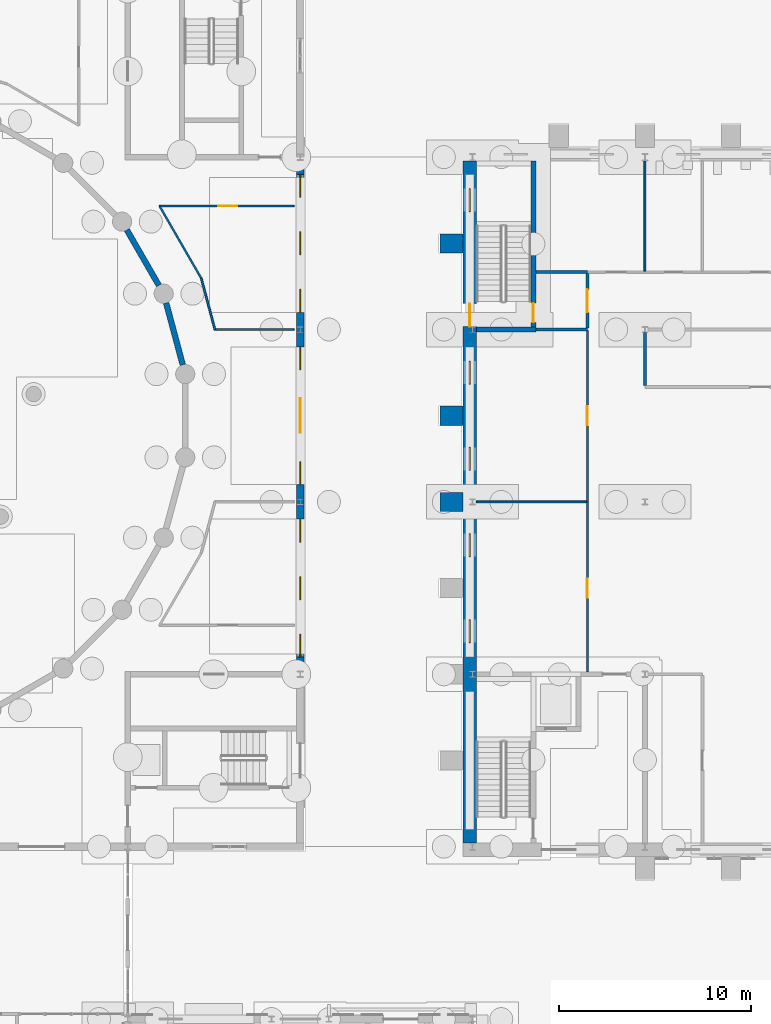
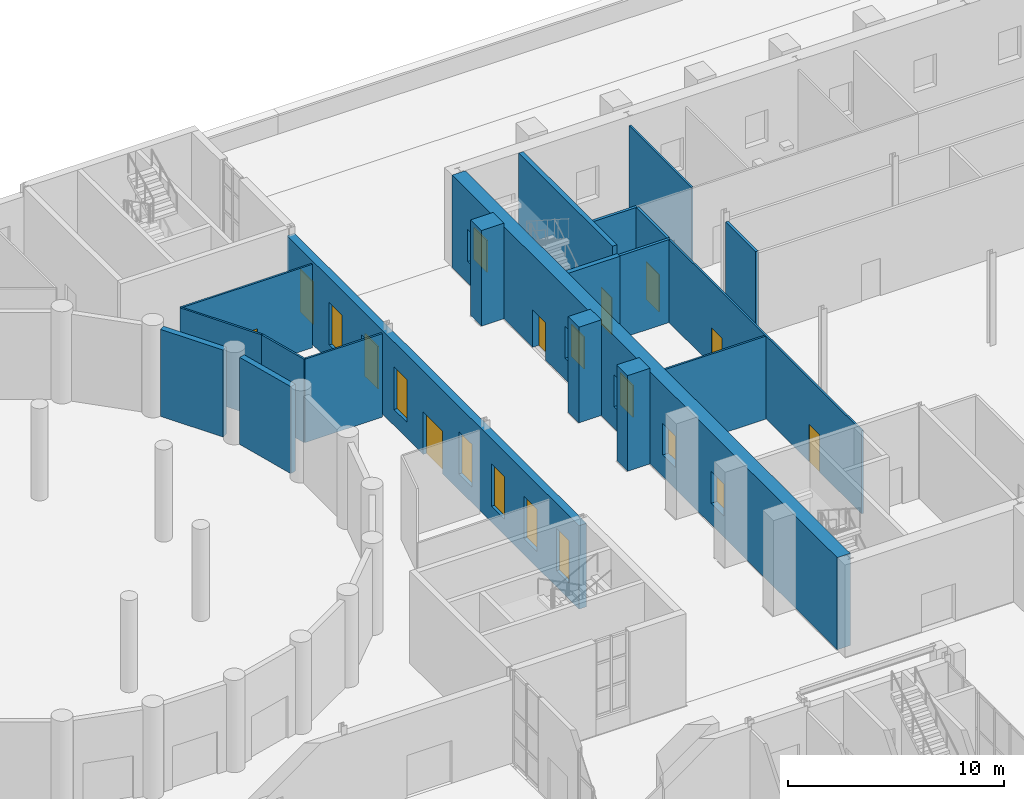
# One storey, part 100 of 168: 20 walls, 13 windows, 7 doors, 20 openings.
"""IFC4 building model written with IfcOpenShell, lengths in metres."""

from ifc_helpers import new_model, si_unit, direction, frame, frame_2d, origin, place, context, subcontext, project, spatial, rectangle, extrude, material, layer, layer_set, type_object, element, fill, save


model = new_model("IFC4")

# Units and contexts
model_context = context("Model", 3, precision=1e-05, world=origin(), true_north=direction((0.0, 1.0)))
body_context = subcontext(model_context, "Body", "Model", "MODEL_VIEW")
ifc_project = project(units=[si_unit("LENGTHUNIT", "METRE"), si_unit("AREAUNIT", "SQUARE_METRE"), si_unit("VOLUMEUNIT", "CUBIC_METRE"), si_unit("PLANEANGLEUNIT", "RADIAN"), si_unit("MASSUNIT", "GRAM", prefix="KILO")], contexts=[model_context])

# Site, building, storey
site_placement = place(None, origin())
site = spatial("IfcSite", under=ifc_project, at=site_placement, CompositionType="ELEMENT")
building_placement = place(site_placement, origin())
building = spatial("IfcBuilding", under=site, at=building_placement, Name="Golden Quay Civic Hall", CompositionType="ELEMENT")
storey_placement = place(building_placement, origin())
storey = spatial("IfcBuildingStorey", under=building, at=storey_placement, Name="L00", CompositionType="ELEMENT", Elevation=0.0)

# Wall, opening, door
ifc_material_1 = material(Name="Concrete C40/50", Category="concrete")
ifc_layer_1 = layer(ifc_material_1, 0.25)
ifc_layer_set_1 = layer_set([ifc_layer_1], Name="Concrete core wall 250, Concrete C40/50")
wall_type_1 = type_object("IfcWallType", Name="Concrete core wall 250", PredefinedType="SHEAR", material=ifc_layer_set_1)
wall_1_placement = place(storey_placement, frame((120.175048828125, 90.125, 0.0), z_axis=(0.0, 0.0, 1.0), x_axis=(0.0, 1.0, 0.0)))
wall_1 = element("IfcWall", 1, at=wall_1_placement, inside=storey, type_object=wall_type_1, Name="L00 core wall N stair east", PredefinedType="SHEAR", context=body_context, shape_type="SweptSolid", body=[
    extrude(rectangle(XDim=8.675048828125, YDim=0.25, at=frame_2d((4.33740234375, 0.0))), origin(), (0.0, 0.0, 1.0), 5.199951171875),
])
opening_1_placement = place(wall_1_placement, frame((0.25, 0.0, 0.0)))
opening_1 = element("IfcOpeningElement", 2, at=opening_1_placement, cuts=wall_1, Name="Opening L00-D227", PredefinedType="OPENING", context=body_context, shape_type="SweptSolid", body=[
    extrude(rectangle(XDim=1.0, YDim=2.10009765625, at=frame_2d((0.5, 1.050048828125))), frame((0.0, 0.135009765625, 0.0), z_axis=(0.0, -1.0, 0.0), x_axis=(1.0, 0.0, 0.0)), (0.0, 0.0, 1.0), 0.27001953125),
])
ifc_material_2 = material(Name="Steel", Category="steel")
door_type_1 = type_object("IfcDoorType", Name="Steel fire door FD60 1000 x 2100", OperationType="SINGLE_SWING_LEFT", PredefinedType="DOOR", material=ifc_material_2)
door_1_placement = place(opening_1_placement, frame((1.0, 0.0, 0.0), z_axis=(0.0, 0.0, 1.0), x_axis=(-1.0, 0.0, 0.0)))
door_1 = element("IfcDoor", 3, at=door_1_placement, inside=storey, type_object=door_type_1, Name="Stair door LB-N", OperationType="SINGLE_SWING_RIGHT", OverallHeight=2.10009765625, OverallWidth=1.0, PredefinedType="DOOR", context=body_context, shape_type="SweptSolid", body=[
    extrude(rectangle(XDim=1.0, YDim=2.10009765625, at=frame_2d((0.5, 1.050048828125))), frame((0.0, 0.025146484375, 0.0), z_axis=(0.0, -1.0, 0.0), x_axis=(1.0, 0.0, 0.0)), (0.0, 0.0, 1.0), 0.050048828125),
])
fill(opening_1, door_1)

# Walls
wall_2_placement = place(storey_placement, frame((117.199951171875, 90.0, 0.0), z_axis=(0.0, 0.0, 1.0), x_axis=(1.0, 0.0, 0.0)))
element("IfcWall", 4, at=wall_2_placement, inside=storey, type_object=wall_type_1, Name="L00 core wall N stair south", PredefinedType="SHEAR", context=body_context, shape_type="SweptSolid", body=[
    extrude(rectangle(XDim=3.10009765625, YDim=0.25, at=frame_2d((1.550048828125, 0.0))), origin(), (0.0, 0.0, 1.0), 4.699951171875),
])
ifc_material_3 = material(Name="Plasterboard on steel studs", Category="steel")
ifc_layer_2 = layer(ifc_material_3, 0.10009765625)
ifc_layer_set_2 = layer_set([ifc_layer_2], Name="Partition 100 stud")
wall_type_2 = type_object("IfcWallType", Name="Partition 100 stud", PredefinedType="PARTITIONING", material=ifc_layer_set_2)
wall_3_placement = place(storey_placement, frame((117.199951171875, 81.0, 0.0), z_axis=(0.0, 0.0, 1.0), x_axis=(1.0, 0.0, 0.0)))
element("IfcWall", 5, at=wall_3_placement, inside=storey, type_object=wall_type_2, Name="L00 partition H18-0.20", PredefinedType="PARTITIONING", context=body_context, shape_type="SweptSolid", body=[
    extrude(rectangle(XDim=5.75, YDim=0.10009765625, at=frame_2d((2.875, 0.0))), origin(), (0.0, 0.0, 1.0), 4.679931640625),
])

# Wall, openings, doors
wall_4_placement = place(storey_placement, frame((123.0, 72.125, 0.0), z_axis=(0.0, 0.0, 1.0), x_axis=(0.0, 1.0, 0.0)))
wall_4 = element("IfcWall", 6, at=wall_4_placement, inside=storey, type_object=wall_type_2, Name="L00 partition V6-9.12", PredefinedType="PARTITIONING", context=body_context, shape_type="SweptSolid", body=[
    extrude(rectangle(XDim=17.800048828125, YDim=0.10009765625, at=frame_2d((8.89990234375, 0.0))), origin(), (0.0, 0.0, 1.0), 4.679931640625),
])
opening_2_placement = place(wall_4_placement, frame((3.875, 0.0, 0.0)))
opening_2 = element("IfcOpeningElement", 7, at=opening_2_placement, cuts=wall_4, Name="Opening L00-D209", PredefinedType="OPENING", context=body_context, shape_type="SweptSolid", body=[
    extrude(rectangle(XDim=1.0, YDim=2.10009765625, at=frame_2d((0.5, 1.050048828125))), frame((0.0, 0.06005859375, 0.0), z_axis=(0.0, -1.0, 0.0), x_axis=(1.0, 0.0, 0.0)), (0.0, 0.0, 1.0), 0.1201171875),
])
opening_3_placement = place(wall_4_placement, frame((12.875, 0.0, 0.0)))
opening_3 = element("IfcOpeningElement", 8, at=opening_3_placement, cuts=wall_4, Name="Opening L00-D210", PredefinedType="OPENING", context=body_context, shape_type="SweptSolid", body=[
    extrude(rectangle(XDim=1.0, YDim=2.10009765625, at=frame_2d((0.5, 1.050048828125))), frame((0.0, 0.06005859375, 0.0), z_axis=(0.0, -1.0, 0.0), x_axis=(1.0, 0.0, 0.0)), (0.0, 0.0, 1.0), 0.1201171875),
])
ifc_material_4 = material(Name="Timber", Category="wood")
door_type_2 = type_object("IfcDoorType", Name="Timber door 1000 x 2100", OperationType="SINGLE_SWING_LEFT", PredefinedType="DOOR", material=ifc_material_4)
door_2_placement = place(opening_2_placement, origin())
door_2 = element("IfcDoor", 9, at=door_2_placement, inside=storey, type_object=door_type_2, Name="Library Office door", OperationType="SINGLE_SWING_LEFT", OverallHeight=2.10009765625, OverallWidth=1.0, PredefinedType="DOOR", context=body_context, shape_type="SweptSolid", body=[
    extrude(rectangle(XDim=1.0, YDim=2.10009765625, at=frame_2d((0.5, 1.050048828125))), frame((0.0, 0.02490234375, 0.0), z_axis=(0.0, -1.0, 0.0), x_axis=(1.0, 0.0, 0.0)), (0.0, 0.0, 1.0), 0.050048828125),
])
fill(opening_2, door_2)
door_3_placement = place(opening_3_placement, origin())
door_3 = element("IfcDoor", 10, at=door_3_placement, inside=storey, type_object=door_type_2, Name="Cataloguing Office door", OperationType="SINGLE_SWING_LEFT", OverallHeight=2.10009765625, OverallWidth=1.0, PredefinedType="DOOR", context=body_context, shape_type="SweptSolid", body=[
    extrude(rectangle(XDim=1.0, YDim=2.10009765625, at=frame_2d((0.5, 1.050048828125))), frame((0.0, 0.02490234375, 0.0), z_axis=(0.0, -1.0, 0.0), x_axis=(1.0, 0.0, 0.0)), (0.0, 0.0, 1.0), 0.050048828125),
])
fill(opening_3, door_3)

# Walls
wall_5_placement = place(storey_placement, frame((126.0, 93.050048828125, 0.0), z_axis=(0.0, 0.0, 1.0), x_axis=(0.0, 1.0, 0.0)))
element("IfcWall", 11, at=wall_5_placement, inside=storey, type_object=wall_type_2, Name="L00 partition V9-30.05", PredefinedType="PARTITIONING", context=body_context, shape_type="SweptSolid", body=[
    extrude(rectangle(XDim=5.75, YDim=0.10009765625, at=frame_2d((2.875, 0.0))), origin(), (0.0, 0.0, 1.0), 4.679931640625),
])
ifc_material_5 = material(Name="Gypsum board on steel stud", Category="steel")
ifc_layer_3 = layer(ifc_material_5, 0.10009765625)
ifc_layer_set_3 = layer_set([ifc_layer_3], Name="Partition 100 stud fire EI 60")
wall_type_3 = type_object("IfcWallType", Name="Partition 100 stud fire EI 60", PredefinedType="PARTITIONING", material=ifc_layer_set_3)
wall_6_placement = place(storey_placement, frame((107.679931640625, 90.0, 0.0), z_axis=(0.0, 0.0, 1.0), x_axis=(-1.0, 0.0, 0.0)))
element("IfcWall", 12, at=wall_6_placement, inside=storey, type_object=wall_type_3, Name="Partition 24", PredefinedType="PARTITIONING", context=body_context, shape_type="SweptSolid", body=[
    extrude(rectangle(XDim=4.129638671875, YDim=0.10009765625, at=frame_2d((2.06494140625, 0.0))), origin(), (0.0, 0.0, 1.0), 4.7099609375),
])

# Wall, opening, door
wall_7_placement = place(storey_placement, frame((107.679931640625, 96.449951171875, 0.0), z_axis=(0.0, 0.0, 1.0), x_axis=(-1.0, 0.0, 0.0)))
wall_7 = element("IfcWall", 13, at=wall_7_placement, inside=storey, type_object=wall_type_3, Name="Partition 25", PredefinedType="PARTITIONING", context=body_context, shape_type="SweptSolid", body=[
    extrude(rectangle(XDim=7.0244140625, YDim=0.10009765625, at=frame_2d((3.51220703125, 0.0))), origin(), (0.0, 0.0, 1.0), 4.7099609375),
])
opening_4_placement = place(wall_7_placement, frame((2.952392578125, 0.0, 0.0)))
opening_4 = element("IfcOpeningElement", 14, at=opening_4_placement, cuts=wall_7, Name="Opening L00-D200", PredefinedType="OPENING", context=body_context, shape_type="SweptSolid", body=[
    extrude(rectangle(XDim=1.0, YDim=2.10009765625, at=frame_2d((0.5, 1.050048828125))), frame((0.0, 0.06005859375, 0.0), z_axis=(0.0, -1.0, 0.0), x_axis=(1.0, 0.0, 0.0)), (0.0, 0.0, 1.0), 0.1201171875),
])
ifc_material_6 = material(Name="Timber", Category="wood")
door_type_3 = type_object("IfcDoorType", Name="Timber fire door FD30S 1000 x 2100", OperationType="SINGLE_SWING_LEFT", PredefinedType="DOOR", material=ifc_material_6)
door_4_placement = place(opening_4_placement, origin())
door_4 = element("IfcDoor", 15, at=door_4_placement, inside=storey, type_object=door_type_3, Name="Door Communications Room", OperationType="SINGLE_SWING_LEFT", OverallHeight=2.10009765625, OverallWidth=1.0, PredefinedType="DOOR", context=body_context, shape_type="SweptSolid", body=[
    extrude(rectangle(XDim=1.0, YDim=2.10009765625, at=frame_2d((0.5, 1.050048828125))), frame((0.0, 0.02490234375, 0.0), z_axis=(0.0, -1.0, 0.0), x_axis=(1.0, 0.0, 0.0)), (0.0, 0.0, 1.0), 0.050048828125),
])
fill(opening_4, door_4)

# Walls
wall_8_placement = place(storey_placement, frame((100.655517578125, 96.449951171875, 0.0), z_axis=(0.0, 0.0, 1.0), x_axis=(0.499992644437, -0.866029650479, 0.0)))
element("IfcWall", 16, at=wall_8_placement, inside=storey, type_object=wall_type_3, Name="Partition 26", PredefinedType="PARTITIONING", context=body_context, shape_type="SweptSolid", body=[
    extrude(rectangle(XDim=4.35400390625, YDim=0.10009765625, at=frame_2d((2.177001953125, 0.0))), origin(), (0.0, 0.0, 1.0), 4.7099609375),
])
wall_9_placement = place(storey_placement, frame((102.83251953125, 92.67919921875, 0.0), z_axis=(0.0, 0.0, 1.0), x_axis=(0.258782667083, -0.965935573016, 0.0)))
element("IfcWall", 17, at=wall_9_placement, inside=storey, type_object=wall_type_3, Name="Partition 27", PredefinedType="PARTITIONING", context=body_context, shape_type="SweptSolid", body=[
    extrude(rectangle(XDim=2.79443359375, YDim=0.10009765625, at=frame_2d((1.397216796875, 0.0))), origin(), (0.0, 0.0, 1.0), 4.7099609375),
])
ifc_material_7 = material(Name="Plasterboard on steel studs", Category="steel")
ifc_layer_4 = layer(ifc_material_7, 0.14990234375)
ifc_layer_set_4 = layer_set([ifc_layer_4], Name="Partition 150 stud fire EI 60")
wall_type_4 = type_object("IfcWallType", Name="Partition 150 stud fire EI 60", PredefinedType="PARTITIONING", material=ifc_layer_set_4)
for number, where, z_axis, x_axis, name in (
    (18, (120.300048828125, 90.0, 0.0), (0.0, 0.0, 1.0), (1.0, 0.0, 0.0), "L00 partition H27-3.30"),
    (19, (120.300048828125, 93.0, 0.0), (0.0, 0.0, 1.0), (1.0, 0.0, 0.0), "L00 partition H30-3.30"),
):
    element("IfcWall", number, at=place(storey_placement, frame(where, z_axis=z_axis, x_axis=x_axis)), inside=storey, type_object=wall_type_4, Name=name, PredefinedType="PARTITIONING", context=body_context, shape_type="SweptSolid", body=[
        extrude(rectangle(XDim=2.699951171875, YDim=0.14990234375, at=frame_2d((1.35009765625, 0.0))), origin(), (0.0, 0.0, 1.0), 4.679931640625),
    ])

# Wall, opening, door
wall_10_placement = place(storey_placement, frame((123.0, 90.074951171875, 0.0), z_axis=(0.0, 0.0, 1.0), x_axis=(0.0, 1.0, 0.0)))
wall_10 = element("IfcWall", 20, at=wall_10_placement, inside=storey, type_object=wall_type_4, Name="L00 partition V6-27.07", PredefinedType="PARTITIONING", context=body_context, shape_type="SweptSolid", body=[
    extrude(rectangle(XDim=2.85009765625, YDim=0.14990234375, at=frame_2d((1.425048828125, 0.0))), origin(), (0.0, 0.0, 1.0), 4.679931640625),
])
opening_5_placement = place(wall_10_placement, frame((0.824951171875, 0.0, 0.0)))
opening_5 = element("IfcOpeningElement", 21, at=opening_5_placement, cuts=wall_10, Name="Opening L00-D213", PredefinedType="OPENING", context=body_context, shape_type="SweptSolid", body=[
    extrude(rectangle(XDim=1.199951171875, YDim=2.10009765625, at=frame_2d((0.60009765625, 1.050048828125))), frame((0.0, 0.0849609375, 0.0), z_axis=(0.0, -1.0, 0.0), x_axis=(1.0, 0.0, 0.0)), (0.0, 0.0, 1.0), 0.169921875),
])
ifc_material_8 = material(Name="Timber", Category="wood")
door_type_4 = type_object("IfcDoorType", Name="Timber fire door FD60 1200 x 2100", OperationType="SINGLE_SWING_LEFT", PredefinedType="DOOR", material=ifc_material_8)
door_5_placement = place(opening_5_placement, frame((1.199951171875, 0.0, 0.0), z_axis=(0.0, 0.0, 1.0), x_axis=(-1.0, 0.0, 0.0)))
door_5 = element("IfcDoor", 22, at=door_5_placement, inside=storey, type_object=door_type_4, Name="Stair Lobby door", OperationType="SINGLE_SWING_RIGHT", OverallHeight=2.10009765625, OverallWidth=1.199951171875, PredefinedType="DOOR", context=body_context, shape_type="SweptSolid", body=[
    extrude(rectangle(XDim=1.199951171875, YDim=2.10009765625, at=frame_2d((0.599853515625, 1.050048828125))), frame((0.0, 0.025146484375, 0.0), z_axis=(0.0, -1.0, 0.0), x_axis=(1.0, 0.0, 0.0)), (0.0, 0.0, 1.0), 0.050048828125),
])
fill(opening_5, door_5)

# Wall
wall_11_placement = place(storey_placement, frame((126.0, 87.074951171875, 0.0), z_axis=(0.0, 0.0, 1.0), x_axis=(0.0, 1.0, 0.0)))
element("IfcWall", 23, at=wall_11_placement, inside=storey, type_object=wall_type_4, Name="L00 partition V9-24.07", PredefinedType="PARTITIONING", context=body_context, shape_type="SweptSolid", body=[
    extrude(rectangle(XDim=2.775146484375, YDim=0.14990234375, at=frame_2d((1.3876953125, 0.0))), origin(), (0.0, 0.0, 1.0), 4.679931640625),
])

# Wall, openings, door, windows
ifc_material_9 = material(Name="Brick masonry with render", Category="masonry")
ifc_layer_5 = layer(ifc_material_9, 0.39990234375)
ifc_layer_set_5 = layer_set([ifc_layer_5], Name="Rendered brick external wall 400")
wall_type_5 = type_object("IfcWallType", Name="Rendered brick external wall 400", PredefinedType="STANDARD", material=ifc_layer_set_5)
wall_12_placement = place(storey_placement, frame((108.0, 72.0, 0.0), z_axis=(0.0, 0.0, 1.0), x_axis=(0.0, 1.0, 0.0)))
wall_12 = element("IfcWall", 24, at=wall_12_placement, inside=storey, type_object=wall_type_5, Name="Base wall E 72", PredefinedType="STANDARD", context=body_context, shape_type="SweptSolid", body=[
    extrude(rectangle(XDim=27.0, YDim=0.39990234375, at=frame_2d((13.5, 0.0))), origin(), (0.0, 0.0, 1.0), 4.7099609375),
])
opening_6_placement = place(wall_12_placement, frame((12.60009765625, 0.0, 0.0)))
opening_6 = element("IfcOpeningElement", 25, at=opening_6_placement, cuts=wall_12, Name="Opening L00-D039", PredefinedType="OPENING", context=body_context, shape_type="SweptSolid", body=[
    extrude(rectangle(XDim=1.800048828125, YDim=2.39990234375, at=frame_2d((0.89990234375, 1.199951171875))), frame((0.0, 0.2099609375, 0.0), z_axis=(0.0, -1.0, 0.0), x_axis=(1.0, 0.0, 0.0)), (0.0, 0.0, 1.0), 0.419921875),
])
opening_7_placement = place(wall_12_placement, frame((0.89990234375, 0.0, 0.89990234375)))
opening_7 = element("IfcOpeningElement", 26, at=opening_7_placement, cuts=wall_12, Name="Opening WN7", PredefinedType="OPENING", context=body_context, shape_type="SweptSolid", body=[
    extrude(rectangle(XDim=1.199951171875, YDim=2.39990234375, at=frame_2d((0.60009765625, 1.199951171875))), frame((0.0, 0.2099609375, 0.0), z_axis=(0.0, -1.0, 0.0), x_axis=(1.0, 0.0, 0.0)), (0.0, 0.0, 1.0), 0.419921875),
])
opening_8_placement = place(wall_12_placement, frame((3.89990234375, 0.0, 0.89990234375)))
opening_8 = element("IfcOpeningElement", 27, at=opening_8_placement, cuts=wall_12, Name="Opening WN7", PredefinedType="OPENING", context=body_context, shape_type="SweptSolid", body=[
    extrude(rectangle(XDim=1.199951171875, YDim=2.39990234375, at=frame_2d((0.60009765625, 1.199951171875))), frame((0.0, 0.2099609375, 0.0), z_axis=(0.0, -1.0, 0.0), x_axis=(1.0, 0.0, 0.0)), (0.0, 0.0, 1.0), 0.419921875),
])
opening_9_placement = place(wall_12_placement, frame((6.89990234375, 0.0, 0.89990234375)))
opening_9 = element("IfcOpeningElement", 28, at=opening_9_placement, cuts=wall_12, Name="Opening WN7", PredefinedType="OPENING", context=body_context, shape_type="SweptSolid", body=[
    extrude(rectangle(XDim=1.199951171875, YDim=2.39990234375, at=frame_2d((0.60009765625, 1.199951171875))), frame((0.0, 0.2099609375, 0.0), z_axis=(0.0, -1.0, 0.0), x_axis=(1.0, 0.0, 0.0)), (0.0, 0.0, 1.0), 0.419921875),
])
opening_10_placement = place(wall_12_placement, frame((9.89990234375, 0.0, 0.89990234375)))
opening_10 = element("IfcOpeningElement", 29, at=opening_10_placement, cuts=wall_12, Name="Opening WN7", PredefinedType="OPENING", context=body_context, shape_type="SweptSolid", body=[
    extrude(rectangle(XDim=1.199951171875, YDim=2.39990234375, at=frame_2d((0.60009765625, 1.199951171875))), frame((0.0, 0.2099609375, 0.0), z_axis=(0.0, -1.0, 0.0), x_axis=(1.0, 0.0, 0.0)), (0.0, 0.0, 1.0), 0.419921875),
])
opening_11_placement = place(wall_12_placement, frame((15.89990234375, 0.0, 0.89990234375)))
opening_11 = element("IfcOpeningElement", 30, at=opening_11_placement, cuts=wall_12, Name="Opening WN7", PredefinedType="OPENING", context=body_context, shape_type="SweptSolid", body=[
    extrude(rectangle(XDim=1.199951171875, YDim=2.39990234375, at=frame_2d((0.60009765625, 1.199951171875))), frame((0.0, 0.2099609375, 0.0), z_axis=(0.0, -1.0, 0.0), x_axis=(1.0, 0.0, 0.0)), (0.0, 0.0, 1.0), 0.419921875),
])
opening_12_placement = place(wall_12_placement, frame((18.89990234375, 0.0, 0.89990234375)))
opening_12 = element("IfcOpeningElement", 31, at=opening_12_placement, cuts=wall_12, Name="Opening WN7", PredefinedType="OPENING", context=body_context, shape_type="SweptSolid", body=[
    extrude(rectangle(XDim=1.199951171875, YDim=2.39990234375, at=frame_2d((0.60009765625, 1.199951171875))), frame((0.0, 0.2099609375, 0.0), z_axis=(0.0, -1.0, 0.0), x_axis=(1.0, 0.0, 0.0)), (0.0, 0.0, 1.0), 0.419921875),
])
opening_13_placement = place(wall_12_placement, frame((21.89990234375, 0.0, 0.89990234375)))
opening_13 = element("IfcOpeningElement", 32, at=opening_13_placement, cuts=wall_12, Name="Opening WN7", PredefinedType="OPENING", context=body_context, shape_type="SweptSolid", body=[
    extrude(rectangle(XDim=1.199951171875, YDim=2.39990234375, at=frame_2d((0.60009765625, 1.199951171875))), frame((0.0, 0.2099609375, 0.0), z_axis=(0.0, -1.0, 0.0), x_axis=(1.0, 0.0, 0.0)), (0.0, 0.0, 1.0), 0.419921875),
])
opening_14_placement = place(wall_12_placement, frame((24.89990234375, 0.0, 0.89990234375)))
opening_14 = element("IfcOpeningElement", 33, at=opening_14_placement, cuts=wall_12, Name="Opening WN7", PredefinedType="OPENING", context=body_context, shape_type="SweptSolid", body=[
    extrude(rectangle(XDim=1.199951171875, YDim=2.39990234375, at=frame_2d((0.60009765625, 1.199951171875))), frame((0.0, 0.2099609375, 0.0), z_axis=(0.0, -1.0, 0.0), x_axis=(1.0, 0.0, 0.0)), (0.0, 0.0, 1.0), 0.419921875),
])
ifc_material_10 = material(Name="Timber", Category="wood")
door_type_5 = type_object("IfcDoorType", Name="Timber entrance door 1800 x 2400", OperationType="DOUBLE_DOOR_SINGLE_SWING", PredefinedType="DOOR", material=ifc_material_10)
door_6_placement = place(opening_6_placement, frame((1.800048828125, 0.0, 0.0), z_axis=(0.0, 0.0, 1.0), x_axis=(-1.0, 0.0, 0.0)))
door_6 = element("IfcDoor", 34, at=door_6_placement, inside=storey, type_object=door_type_5, Name="Staff entrance door", OperationType="DOUBLE_DOOR_SINGLE_SWING", OverallHeight=2.39990234375, OverallWidth=1.800048828125, PredefinedType="DOOR", context=body_context, shape_type="SweptSolid", body=[
    extrude(rectangle(XDim=1.800048828125, YDim=2.39990234375, at=frame_2d((0.900146484375, 1.199951171875))), frame((0.0, 0.025146484375, 0.0), z_axis=(0.0, -1.0, 0.0), x_axis=(1.0, 0.0, 0.0)), (0.0, 0.0, 1.0), 0.050048828125),
])
fill(opening_6, door_6)
ifc_material_11 = material(Name="Aluminium frame, double glazed", Category="aluminium")
window_type_1 = type_object("IfcWindowType", Name="Window 1200 x 2400", PartitioningType="SINGLE_PANEL", PredefinedType="WINDOW", material=ifc_material_11)
window_1_placement = place(opening_7_placement, origin())
window_1 = element("IfcWindow", 35, at=window_1_placement, inside=storey, type_object=window_type_1, Name="Window E1", OverallHeight=2.39990234375, OverallWidth=1.199951171875, PartitioningType="SINGLE_PANEL", PredefinedType="WINDOW", context=body_context, shape_type="SweptSolid", body=[
    extrude(rectangle(XDim=1.199951171875, YDim=2.39990234375, at=frame_2d((0.60009765625, 1.199951171875))), frame((0.0, 0.030029296875, 0.0), z_axis=(0.0, -1.0, 0.0), x_axis=(1.0, 0.0, 0.0)), (0.0, 0.0, 1.0), 0.06005859375),
])
fill(opening_7, window_1)
window_2_placement = place(opening_8_placement, origin())
window_2 = element("IfcWindow", 36, at=window_2_placement, inside=storey, type_object=window_type_1, Name="Window E2", OverallHeight=2.39990234375, OverallWidth=1.199951171875, PartitioningType="SINGLE_PANEL", PredefinedType="WINDOW", context=body_context, shape_type="SweptSolid", body=[
    extrude(rectangle(XDim=1.199951171875, YDim=2.39990234375, at=frame_2d((0.60009765625, 1.199951171875))), frame((0.0, 0.030029296875, 0.0), z_axis=(0.0, -1.0, 0.0), x_axis=(1.0, 0.0, 0.0)), (0.0, 0.0, 1.0), 0.06005859375),
])
fill(opening_8, window_2)
window_3_placement = place(opening_9_placement, origin())
window_3 = element("IfcWindow", 37, at=window_3_placement, inside=storey, type_object=window_type_1, Name="Window E3", OverallHeight=2.39990234375, OverallWidth=1.199951171875, PartitioningType="SINGLE_PANEL", PredefinedType="WINDOW", context=body_context, shape_type="SweptSolid", body=[
    extrude(rectangle(XDim=1.199951171875, YDim=2.39990234375, at=frame_2d((0.60009765625, 1.199951171875))), frame((0.0, 0.030029296875, 0.0), z_axis=(0.0, -1.0, 0.0), x_axis=(1.0, 0.0, 0.0)), (0.0, 0.0, 1.0), 0.06005859375),
])
fill(opening_9, window_3)
window_4_placement = place(opening_10_placement, origin())
window_4 = element("IfcWindow", 38, at=window_4_placement, inside=storey, type_object=window_type_1, Name="Window E4", OverallHeight=2.39990234375, OverallWidth=1.199951171875, PartitioningType="SINGLE_PANEL", PredefinedType="WINDOW", context=body_context, shape_type="SweptSolid", body=[
    extrude(rectangle(XDim=1.199951171875, YDim=2.39990234375, at=frame_2d((0.60009765625, 1.199951171875))), frame((0.0, 0.030029296875, 0.0), z_axis=(0.0, -1.0, 0.0), x_axis=(1.0, 0.0, 0.0)), (0.0, 0.0, 1.0), 0.06005859375),
])
fill(opening_10, window_4)
window_5_placement = place(opening_11_placement, origin())
window_5 = element("IfcWindow", 39, at=window_5_placement, inside=storey, type_object=window_type_1, Name="Window E6", OverallHeight=2.39990234375, OverallWidth=1.199951171875, PartitioningType="SINGLE_PANEL", PredefinedType="WINDOW", context=body_context, shape_type="SweptSolid", body=[
    extrude(rectangle(XDim=1.199951171875, YDim=2.39990234375, at=frame_2d((0.60009765625, 1.199951171875))), frame((0.0, 0.030029296875, 0.0), z_axis=(0.0, -1.0, 0.0), x_axis=(1.0, 0.0, 0.0)), (0.0, 0.0, 1.0), 0.06005859375),
])
fill(opening_11, window_5)
window_6_placement = place(opening_12_placement, origin())
window_6 = element("IfcWindow", 40, at=window_6_placement, inside=storey, type_object=window_type_1, Name="Window E7", OverallHeight=2.39990234375, OverallWidth=1.199951171875, PartitioningType="SINGLE_PANEL", PredefinedType="WINDOW", context=body_context, shape_type="SweptSolid", body=[
    extrude(rectangle(XDim=1.199951171875, YDim=2.39990234375, at=frame_2d((0.60009765625, 1.199951171875))), frame((0.0, 0.030029296875, 0.0), z_axis=(0.0, -1.0, 0.0), x_axis=(1.0, 0.0, 0.0)), (0.0, 0.0, 1.0), 0.06005859375),
])
fill(opening_12, window_6)
window_7_placement = place(opening_13_placement, origin())
window_7 = element("IfcWindow", 41, at=window_7_placement, inside=storey, type_object=window_type_1, Name="Window E8", OverallHeight=2.39990234375, OverallWidth=1.199951171875, PartitioningType="SINGLE_PANEL", PredefinedType="WINDOW", context=body_context, shape_type="SweptSolid", body=[
    extrude(rectangle(XDim=1.199951171875, YDim=2.39990234375, at=frame_2d((0.60009765625, 1.199951171875))), frame((0.0, 0.030029296875, 0.0), z_axis=(0.0, -1.0, 0.0), x_axis=(1.0, 0.0, 0.0)), (0.0, 0.0, 1.0), 0.06005859375),
])
fill(opening_13, window_7)
window_8_placement = place(opening_14_placement, origin())
window_8 = element("IfcWindow", 42, at=window_8_placement, inside=storey, type_object=window_type_1, Name="Window E9", OverallHeight=2.39990234375, OverallWidth=1.199951171875, PartitioningType="SINGLE_PANEL", PredefinedType="WINDOW", context=body_context, shape_type="SweptSolid", body=[
    extrude(rectangle(XDim=1.199951171875, YDim=2.39990234375, at=frame_2d((0.60009765625, 1.199951171875))), frame((0.0, 0.030029296875, 0.0), z_axis=(0.0, -1.0, 0.0), x_axis=(1.0, 0.0, 0.0)), (0.0, 0.0, 1.0), 0.06005859375),
])
fill(opening_14, window_8)

# Walls
ifc_material_12 = material(Name="Concrete C30/37", Category="concrete")
ifc_layer_6 = layer(ifc_material_12, 0.300048828125)
ifc_layer_set_6 = layer_set([ifc_layer_6], Name="Rotunda enclosure wall 300")
wall_type_6 = type_object("IfcWallType", Name="Rotunda enclosure wall 300", PredefinedType="PARTITIONING", material=ifc_layer_set_6)
for number, where, z_axis, x_axis, name in (
    (43, (101.87060546875, 88.1552734375, 0.0), (0.0, 0.0, 1.0), (-0.258852846257, 0.965916768663, 0.0), "Rotunda wall 1"),
    (44, (100.62548828125, 92.3017578125, 0.0), (0.0, 0.0, 1.0), (-0.49996257386, 0.866047010698, 0.0), "Rotunda wall 2"),
):
    element("IfcWall", number, at=place(storey_placement, frame(where, z_axis=z_axis, x_axis=x_axis)), inside=storey, type_object=wall_type_6, Name=name, PredefinedType="PARTITIONING", context=body_context, shape_type="SweptSolid", body=[
        extrude(rectangle(XDim=3.344482421875, YDim=0.300048828125, at=frame_2d((1.67236328125, 0.0))), origin(), (0.0, 0.0, 1.0), 4.909912109375),
    ])
ifc_material_13 = material(Name="Limestone, rusticated facing", Category="masonry")
ifc_layer_7 = layer(ifc_material_13, 1.199951171875)
ifc_layer_set_7 = layer_set([ifc_layer_7], Name="Stone base pier 1000 x 1200")
wall_type_7 = type_object("IfcWallType", Name="Stone base pier 1000 x 1200", PredefinedType="STANDARD", material=ifc_layer_set_7)
for number, where, z_axis, x_axis, name in (
    (45, (115.89990234375, 80.5, 0.0), (0.0, 0.0, 1.0), (0.0, 1.0, 0.0), "Stone base pier 1000 x 1200 L00 23"),
    (46, (115.89990234375, 85.0, 0.0), (0.0, 0.0, 1.0), (0.0, 1.0, 0.0), "Stone base pier 1000 x 1200 L00 24"),
    (47, (115.89990234375, 94.0, 0.0), (0.0, 0.0, 1.0), (0.0, 1.0, 0.0), "Stone base pier 1000 x 1200 L00 25"),
):
    element("IfcWall", number, at=place(storey_placement, frame(where, z_axis=z_axis, x_axis=x_axis)), inside=storey, type_object=wall_type_7, Name=name, PredefinedType="STANDARD", context=body_context, shape_type="SweptSolid", body=[
        extrude(rectangle(XDim=1.0, YDim=1.199951171875, at=frame_2d((0.5, 0.0))), origin(), (0.0, 0.0, 1.0), 5.39990234375),
    ])

# Wall, openings, door, windows
ifc_material_14 = material(Name="Limestone, rusticated facing", Category="masonry")
ifc_layer_8 = layer(ifc_material_14, 0.699951171875)
ifc_layer_set_8 = layer_set([ifc_layer_8], Name="Stone external wall 700")
wall_type_8 = type_object("IfcWallType", Name="Stone external wall 700", PredefinedType="STANDARD", material=ifc_layer_set_8)
wall_13_placement = place(storey_placement, frame((116.85009765625, 63.199951171875, 0.0), z_axis=(0.0, 0.0, 1.0), x_axis=(0.0, 1.0, 0.0)))
wall_13 = element("IfcWall", 48, at=wall_13_placement, inside=storey, type_object=wall_type_8, Name="L00 external wall W", PredefinedType="STANDARD", context=body_context, shape_type="SweptSolid", body=[
    extrude(rectangle(XDim=35.60009765625, YDim=0.699951171875, at=frame_2d((17.800048828125, 0.0))), origin(), (0.0, 0.0, 1.0), 5.199951171875),
])
opening_15_placement = place(wall_13_placement, frame((10.449951171875, 0.0, 1.199951171875)))
opening_15 = element("IfcOpeningElement", 49, at=opening_15_placement, cuts=wall_13, Name="Opening WN18", PredefinedType="OPENING", context=body_context, shape_type="SweptSolid", body=[
    extrude(rectangle(XDim=1.199951171875, YDim=1.800048828125, at=frame_2d((0.60009765625, 0.89990234375))), frame((0.0, 0.35986328125, 0.0), z_axis=(0.0, -1.0, 0.0), x_axis=(1.0, 0.0, 0.0)), (0.0, 0.0, 1.0), 0.719970703125),
])
opening_16_placement = place(wall_13_placement, frame((14.949951171875, 0.0, 1.199951171875)))
opening_16 = element("IfcOpeningElement", 50, at=opening_16_placement, cuts=wall_13, Name="Opening WN18", PredefinedType="OPENING", context=body_context, shape_type="SweptSolid", body=[
    extrude(rectangle(XDim=1.199951171875, YDim=1.800048828125, at=frame_2d((0.60009765625, 0.89990234375))), frame((0.0, 0.35986328125, 0.0), z_axis=(0.0, -1.0, 0.0), x_axis=(1.0, 0.0, 0.0)), (0.0, 0.0, 1.0), 0.719970703125),
])
opening_17_placement = place(wall_13_placement, frame((19.449951171875, 0.0, 1.199951171875)))
opening_17 = element("IfcOpeningElement", 51, at=opening_17_placement, cuts=wall_13, Name="Opening WN18", PredefinedType="OPENING", context=body_context, shape_type="SweptSolid", body=[
    extrude(rectangle(XDim=1.199951171875, YDim=1.800048828125, at=frame_2d((0.60009765625, 0.89990234375))), frame((0.0, 0.35986328125, 0.0), z_axis=(0.0, -1.0, 0.0), x_axis=(1.0, 0.0, 0.0)), (0.0, 0.0, 1.0), 0.719970703125),
])
opening_18_placement = place(wall_13_placement, frame((23.949951171875, 0.0, 1.199951171875)))
opening_18 = element("IfcOpeningElement", 52, at=opening_18_placement, cuts=wall_13, Name="Opening WN18", PredefinedType="OPENING", context=body_context, shape_type="SweptSolid", body=[
    extrude(rectangle(XDim=1.199951171875, YDim=1.800048828125, at=frame_2d((0.60009765625, 0.89990234375))), frame((0.0, 0.35986328125, 0.0), z_axis=(0.0, -1.0, 0.0), x_axis=(1.0, 0.0, 0.0)), (0.0, 0.0, 1.0), 0.719970703125),
])
opening_19_placement = place(wall_13_placement, frame((32.949951171875, 0.0, 1.199951171875)))
opening_19 = element("IfcOpeningElement", 53, at=opening_19_placement, cuts=wall_13, Name="Opening WN18", PredefinedType="OPENING", context=body_context, shape_type="SweptSolid", body=[
    extrude(rectangle(XDim=1.199951171875, YDim=1.800048828125, at=frame_2d((0.60009765625, 0.89990234375))), frame((0.0, 0.35986328125, 0.0), z_axis=(0.0, -1.0, 0.0), x_axis=(1.0, 0.0, 0.0)), (0.0, 0.0, 1.0), 0.719970703125),
])
opening_20_placement = place(wall_13_placement, frame((26.949951171875, 0.0, 0.0)))
opening_20 = element("IfcOpeningElement", 54, at=opening_20_placement, cuts=wall_13, Name="Opening L00-D046", PredefinedType="OPENING", context=body_context, shape_type="SweptSolid", body=[
    extrude(rectangle(XDim=1.199951171875, YDim=2.10009765625, at=frame_2d((0.60009765625, 1.050048828125))), frame((0.0, 0.35986328125, 0.0), z_axis=(0.0, -1.0, 0.0), x_axis=(1.0, 0.0, 0.0)), (0.0, 0.0, 1.0), 0.719970703125),
])
ifc_material_15 = material(Name="Steel", Category="steel")
door_type_6 = type_object("IfcDoorType", Name="Steel exit door FD60 1200 x 2100", OperationType="SINGLE_SWING_LEFT", PredefinedType="DOOR", material=ifc_material_15)
door_7_placement = place(opening_20_placement, origin())
door_7 = element("IfcDoor", 55, at=door_7_placement, inside=storey, type_object=door_type_6, Name="Stair exit LB-N", OperationType="SINGLE_SWING_LEFT", OverallHeight=2.10009765625, OverallWidth=1.199951171875, PredefinedType="DOOR", context=body_context, shape_type="SweptSolid", body=[
    extrude(rectangle(XDim=1.199951171875, YDim=2.10009765625, at=frame_2d((0.60009765625, 1.050048828125))), frame((0.0, 0.02490234375, 0.0), z_axis=(0.0, -1.0, 0.0), x_axis=(1.0, 0.0, 0.0)), (0.0, 0.0, 1.0), 0.050048828125),
])
fill(opening_20, door_7)
ifc_material_16 = material(Name="Timber", Category="wood")
window_type_2 = type_object("IfcWindowType", Name="Stone-framed timber window 1200 x 1800", PartitioningType="SINGLE_PANEL", PredefinedType="WINDOW", material=ifc_material_16)
window_9_placement = place(opening_15_placement, origin())
window_9 = element("IfcWindow", 56, at=window_9_placement, inside=storey, type_object=window_type_2, Name="L00 window W112", OverallHeight=1.800048828125, OverallWidth=1.199951171875, PartitioningType="SINGLE_PANEL", PredefinedType="WINDOW", context=body_context, shape_type="SweptSolid", body=[
    extrude(rectangle(XDim=1.199951171875, YDim=1.800048828125, at=frame_2d((0.60009765625, 0.89990234375))), frame((0.0, 0.030029296875, 0.0), z_axis=(0.0, -1.0, 0.0), x_axis=(1.0, 0.0, 0.0)), (0.0, 0.0, 1.0), 0.06005859375),
])
fill(opening_15, window_9)
window_10_placement = place(opening_16_placement, origin())
window_10 = element("IfcWindow", 57, at=window_10_placement, inside=storey, type_object=window_type_2, Name="L00 window W157", OverallHeight=1.800048828125, OverallWidth=1.199951171875, PartitioningType="SINGLE_PANEL", PredefinedType="WINDOW", context=body_context, shape_type="SweptSolid", body=[
    extrude(rectangle(XDim=1.199951171875, YDim=1.800048828125, at=frame_2d((0.60009765625, 0.89990234375))), frame((0.0, 0.030029296875, 0.0), z_axis=(0.0, -1.0, 0.0), x_axis=(1.0, 0.0, 0.0)), (0.0, 0.0, 1.0), 0.06005859375),
])
fill(opening_16, window_10)
window_11_placement = place(opening_17_placement, origin())
window_11 = element("IfcWindow", 58, at=window_11_placement, inside=storey, type_object=window_type_2, Name="L00 window W202", OverallHeight=1.800048828125, OverallWidth=1.199951171875, PartitioningType="SINGLE_PANEL", PredefinedType="WINDOW", context=body_context, shape_type="SweptSolid", body=[
    extrude(rectangle(XDim=1.199951171875, YDim=1.800048828125, at=frame_2d((0.60009765625, 0.89990234375))), frame((0.0, 0.030029296875, 0.0), z_axis=(0.0, -1.0, 0.0), x_axis=(1.0, 0.0, 0.0)), (0.0, 0.0, 1.0), 0.06005859375),
])
fill(opening_17, window_11)
window_12_placement = place(opening_18_placement, origin())
window_12 = element("IfcWindow", 59, at=window_12_placement, inside=storey, type_object=window_type_2, Name="L00 window W247", OverallHeight=1.800048828125, OverallWidth=1.199951171875, PartitioningType="SINGLE_PANEL", PredefinedType="WINDOW", context=body_context, shape_type="SweptSolid", body=[
    extrude(rectangle(XDim=1.199951171875, YDim=1.800048828125, at=frame_2d((0.60009765625, 0.89990234375))), frame((0.0, 0.030029296875, 0.0), z_axis=(0.0, -1.0, 0.0), x_axis=(1.0, 0.0, 0.0)), (0.0, 0.0, 1.0), 0.06005859375),
])
fill(opening_18, window_12)
window_13_placement = place(opening_19_placement, origin())
window_13 = element("IfcWindow", 60, at=window_13_placement, inside=storey, type_object=window_type_2, Name="L00 window W337", OverallHeight=1.800048828125, OverallWidth=1.199951171875, PartitioningType="SINGLE_PANEL", PredefinedType="WINDOW", context=body_context, shape_type="SweptSolid", body=[
    extrude(rectangle(XDim=1.199951171875, YDim=1.800048828125, at=frame_2d((0.60009765625, 0.89990234375))), frame((0.0, 0.030029296875, 0.0), z_axis=(0.0, -1.0, 0.0), x_axis=(1.0, 0.0, 0.0)), (0.0, 0.0, 1.0), 0.06005859375),
])
fill(opening_19, window_13)

save(model, "model.ifc")
